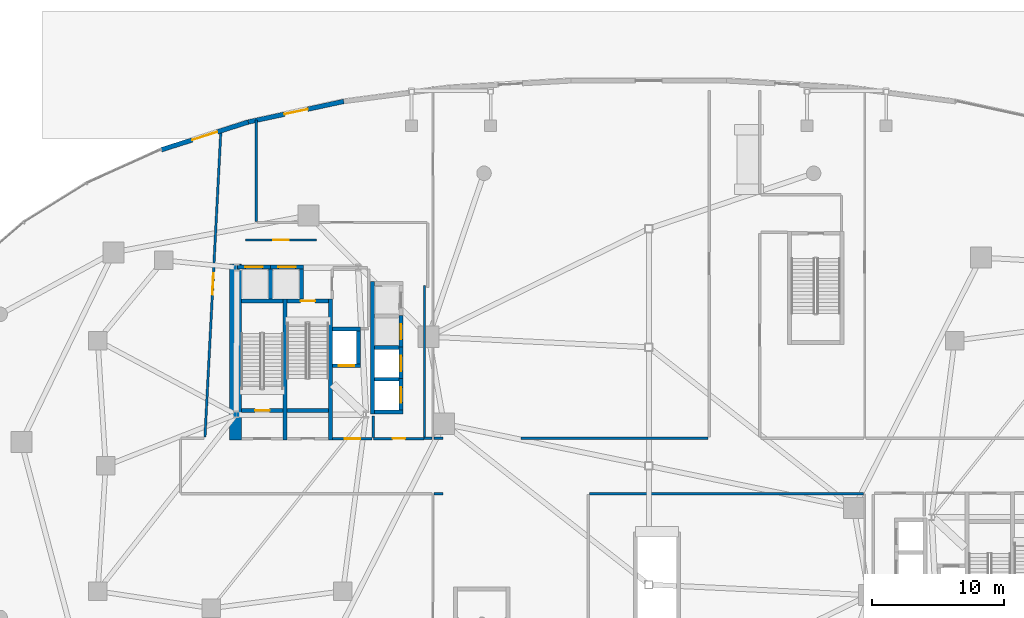
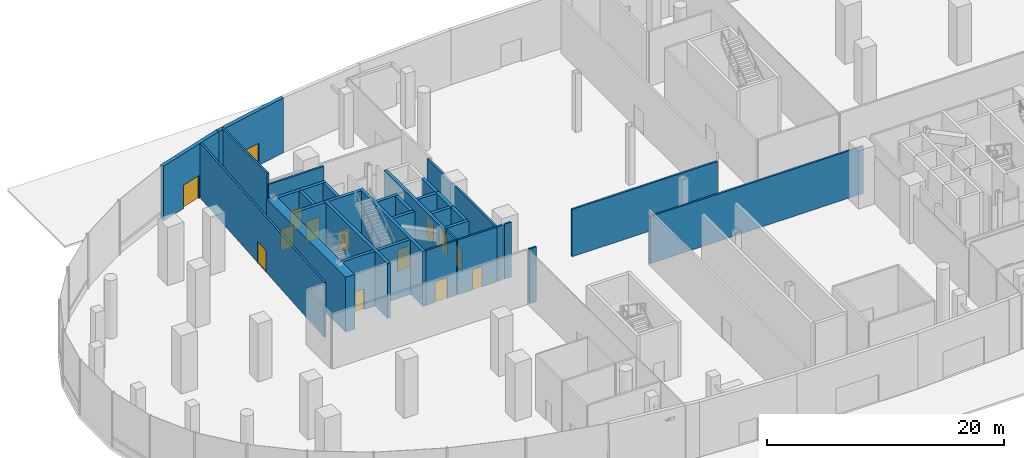
# One storey, part 13 of 20: 35 walls, 14 doors, 14 openings.
"""IFC4 building model written with IfcOpenShell, lengths in metres."""

from ifc_helpers import new_model, si_unit, direction, frame, frame_2d, origin, place, context, subcontext, project, spatial, rectangle, extrude, material, layer, layer_set, type_object, element, fill, save


model = new_model("IFC4")

# Units and contexts
model_context = context("Model", 3, precision=1e-05, world=origin(), true_north=direction((0.0, 1.0)))
body_context = subcontext(model_context, "Body", "Model", "MODEL_VIEW")
ifc_project = project(units=[si_unit("LENGTHUNIT", "METRE"), si_unit("AREAUNIT", "SQUARE_METRE"), si_unit("VOLUMEUNIT", "CUBIC_METRE"), si_unit("PLANEANGLEUNIT", "RADIAN"), si_unit("MASSUNIT", "GRAM", prefix="KILO"), si_unit("THERMODYNAMICTEMPERATUREUNIT", "KELVIN"), si_unit("POWERUNIT", "WATT")], contexts=[model_context])

# Site, building, storey
site_placement = place(None, origin())
site = spatial("IfcSite", under=ifc_project, at=site_placement, CompositionType="ELEMENT")
building_placement = place(site_placement, origin())
building = spatial("IfcBuilding", under=site, at=building_placement, Name="Cundina Bronze Exchange", CompositionType="ELEMENT")
storey_placement = place(building_placement, origin())
storey = spatial("IfcBuildingStorey", under=building, at=storey_placement, Name="L00", CompositionType="ELEMENT", Elevation=0.0)

# Wall
ifc_material_1 = material(Name="Gypsum Fireboard Partition EI120")
ifc_layer_1 = layer(ifc_material_1, 0.179931640625, Name="Gypsum Fireboard Partition EI120")
ifc_layer_set_1 = layer_set([ifc_layer_1], Name="Gypsum Fireboard Partition EI120")
wall_type_1 = type_object("IfcWallType", Name="WL-COR-180", PredefinedType="PARTITIONING", material=ifc_layer_set_1)
wall_1_placement = place(storey_placement, frame((-20.889892578125, 2.14990234375, 0.0), z_axis=(0.0, 0.0, 1.0), x_axis=(0.0, 1.0, 0.0)))
element("IfcWall", 1, at=wall_1_placement, inside=storey, type_object=wall_type_1, Name="L00 W Firefighting Lobby Side Wall", PredefinedType="PARTITIONING", context=body_context, shape_type="SweptSolid", body=[
    extrude(rectangle(XDim=1.650146484375, YDim=0.179931640625, at=frame_2d((0.8251953125, 0.0))), origin(), (0.0, 0.0, 1.0), 5.64990234375),
])

# Wall, opening, door
wall_2_placement = place(storey_placement, frame((-23.97998046875, 2.06005859375, 0.0), z_axis=(0.0, 0.0, 1.0), x_axis=(1.0, 0.0, 0.0)))
wall_2 = element("IfcWall", 2, at=wall_2_placement, inside=storey, type_object=wall_type_1, Name="L00 W Firefighting Lobby Exit Wall", PredefinedType="PARTITIONING", context=body_context, shape_type="SweptSolid", body=[
    extrude(rectangle(XDim=3.0, YDim=0.179931640625, at=frame_2d((1.5, 0.0))), origin(), (0.0, 0.0, 1.0), 5.64990234375),
])
opening_1_placement = place(wall_2_placement, frame((0.89990234375, 0.0, 0.0)))
opening_1 = element("IfcOpeningElement", 3, at=opening_1_placement, cuts=wall_2, Name="Opening DF-01", PredefinedType="OPENING", context=body_context, shape_type="SweptSolid", body=[
    extrude(rectangle(XDim=1.199951171875, YDim=2.14990234375, at=frame_2d((0.60009765625, 1.074951171875))), frame((0.0, 0.099853515625, 0.0), z_axis=(0.0, -1.0, 0.0), x_axis=(1.0, 0.0, 0.0)), (0.0, 0.0, 1.0), 0.199951171875),
])
ifc_material_2 = material(Name="Steel ASTM A36 Painted", Category="steel")
door_type_1 = type_object("IfcDoorType", Name="DR-FFL-1200", OperationType="NOTDEFINED", PredefinedType="DOOR", material=ifc_material_2)
door_1_placement = place(opening_1_placement, origin())
door_1 = element("IfcDoor", 4, at=door_1_placement, inside=storey, type_object=door_type_1, Name="L00 W Firefighting Lobby Door", OperationType="SINGLE_SWING_RIGHT", OverallHeight=2.14990234375, OverallWidth=1.199951171875, PredefinedType="DOOR", context=body_context, shape_type="SweptSolid", body=[
    extrude(rectangle(XDim=1.199951171875, YDim=2.14990234375, at=frame_2d((0.60009765625, 1.074951171875))), frame((0.0, 0.02490234375, 0.0), z_axis=(0.0, -1.0, 0.0), x_axis=(1.0, 0.0, 0.0)), (0.0, 0.0, 1.0), 0.050048828125),
])
fill(opening_1, door_1)

wall_3_placement = place(storey_placement, frame((-30.60009765625, 17.139892578125, 0.0), z_axis=(0.0, 0.0, 1.0), x_axis=(1.0, 0.0, 0.0)))
wall_3 = element("IfcWall", 5, at=wall_3_placement, inside=storey, type_object=wall_type_1, Name="L00 W Stair 2 Protected Vestibule Exit Wall", PredefinedType="PARTITIONING", context=body_context, shape_type="SweptSolid", body=[
    extrude(rectangle(XDim=5.400146484375, YDim=0.179931640625, at=frame_2d((2.7001953125, 0.0))), origin(), (0.0, 0.0, 1.0), 5.64990234375),
])
opening_2_placement = place(wall_3_placement, frame((2.10009765625, 0.0, 0.0)))
opening_2 = element("IfcOpeningElement", 6, at=opening_2_placement, cuts=wall_3, Name="Opening DF-01", PredefinedType="OPENING", context=body_context, shape_type="SweptSolid", body=[
    extrude(rectangle(XDim=1.199951171875, YDim=2.14990234375, at=frame_2d((0.60009765625, 1.074951171875))), frame((0.0, 0.099853515625, 0.0), z_axis=(0.0, -1.0, 0.0), x_axis=(1.0, 0.0, 0.0)), (0.0, 0.0, 1.0), 0.199951171875),
])
door_2_placement = place(opening_2_placement, origin())
door_2 = element("IfcDoor", 7, at=door_2_placement, inside=storey, type_object=door_type_1, Name="L00 W Stair 2 Vestibule Exit Door", OperationType="SINGLE_SWING_LEFT", OverallHeight=2.14990234375, OverallWidth=1.199951171875, PredefinedType="DOOR", context=body_context, shape_type="SweptSolid", body=[
    extrude(rectangle(XDim=1.199951171875, YDim=2.14990234375, at=frame_2d((0.60009765625, 1.074951171875))), frame((0.0, 0.02490234375, 0.0), z_axis=(0.0, -1.0, 0.0), x_axis=(1.0, 0.0, 0.0)), (0.0, 0.0, 1.0), 0.050048828125),
])
fill(opening_2, door_2)

# Wall
wall_4_placement = place(storey_placement, frame((-17.02001953125, 2.169921875, 0.0), z_axis=(0.0, 0.0, 1.0), x_axis=(0.0, 1.0, 0.0)))
element("IfcWall", 8, at=wall_4_placement, inside=storey, type_object=wall_type_1, Name="L00 Interior Partition 001", PredefinedType="PARTITIONING", context=body_context, shape_type="SweptSolid", body=[
    extrude(rectangle(XDim=11.510009765625, YDim=0.179931640625, at=frame_2d((5.7548828125, 0.0))), origin(), (0.0, 0.0, 1.0), 5.64990234375),
])

# Wall, opening, door
wall_5_placement = place(storey_placement, frame((-20.8701171875, 2.070068359375, 0.0), z_axis=(0.0, 0.0, 1.0), x_axis=(1.0, 0.0, 0.0)))
wall_5 = element("IfcWall", 9, at=wall_5_placement, inside=storey, type_object=wall_type_1, Name="L00 Interior Partition 002", PredefinedType="PARTITIONING", context=body_context, shape_type="SweptSolid", body=[
    extrude(rectangle(XDim=3.830078125, YDim=0.179931640625, at=frame_2d((1.9150390625, 0.0))), origin(), (0.0, 0.0, 1.0), 5.64990234375),
])
opening_3_placement = place(wall_5_placement, frame((1.43994140625, 0.0, 0.0)))
opening_3 = element("IfcOpeningElement", 10, at=opening_3_placement, cuts=wall_5, Name="Opening DW-01", PredefinedType="OPENING", context=body_context, shape_type="SweptSolid", body=[
    extrude(rectangle(XDim=0.949951171875, YDim=2.10009765625, at=frame_2d((0.47509765625, 1.050048828125))), frame((0.0, 0.099853515625, 0.0), z_axis=(0.0, -1.0, 0.0), x_axis=(1.0, 0.0, 0.0)), (0.0, 0.0, 1.0), 0.199951171875),
])
ifc_material_3 = material(Name="Solid Andean Oak Timber Grade A", Category="wood")
door_type_2 = type_object("IfcDoorType", Name="DR-WC-950", OperationType="NOTDEFINED", PredefinedType="DOOR", material=ifc_material_3)
door_3_placement = place(opening_3_placement, origin())
door_3 = element("IfcDoor", 11, at=door_3_placement, inside=storey, type_object=door_type_2, Name="L00 Interior Door 002", OperationType="SINGLE_SWING_LEFT", OverallHeight=2.10009765625, OverallWidth=0.949951171875, PredefinedType="DOOR", context=body_context, shape_type="SweptSolid", body=[
    extrude(rectangle(XDim=0.949951171875, YDim=2.10009765625, at=frame_2d((0.47509765625, 1.050048828125))), frame((0.0, 0.02490234375, 0.0), z_axis=(0.0, -1.0, 0.0), x_axis=(1.0, 0.0, 0.0)), (0.0, 0.0, 1.0), 0.050048828125),
])
fill(opening_3, door_3)

# Walls
wall_6_placement = place(storey_placement, frame((-4.5, -2.10009765625, 0.0), z_axis=(0.0, 0.0, 1.0), x_axis=(1.0, 0.0, 0.0)))
element("IfcWall", 12, at=wall_6_placement, inside=storey, type_object=wall_type_1, Name="L00 Interior Partition 030", PredefinedType="PARTITIONING", context=body_context, shape_type="SweptSolid", body=[
    extrude(rectangle(XDim=20.780029296875, YDim=0.179931640625, at=frame_2d((10.39013671875, 0.0))), origin(), (0.0, 0.0, 1.0), 4.876953125),
])
wall_7_placement = place(storey_placement, frame((4.5, 2.10009765625, 0.0), z_axis=(0.0, 0.0, 1.0), x_axis=(-1.0, 0.0, 0.0)))
element("IfcWall", 13, at=wall_7_placement, inside=storey, type_object=wall_type_1, Name="L00 Interior Partition 032", PredefinedType="PARTITIONING", context=body_context, shape_type="SweptSolid", body=[
    extrude(rectangle(XDim=14.199951171875, YDim=0.179931640625, at=frame_2d((7.10009765625, 0.0))), origin(), (0.0, 0.0, 1.0), 4.876953125),
])

# Wall, opening, door
wall_8_placement = place(storey_placement, frame((-32.4619140625, 25.42529296875, 0.0), z_axis=(0.0, 0.0, 1.0), x_axis=(-0.051897662256, -0.998652408325, 0.0)))
wall_8 = element("IfcWall", 14, at=wall_8_placement, inside=storey, type_object=wall_type_1, Name="L00 Interior Partition 039", PredefinedType="PARTITIONING", context=body_context, shape_type="SweptSolid", body=[
    extrude(rectangle(XDim=23.276611328125, YDim=0.179931640625, at=frame_2d((11.63818359375, 0.0))), origin(), (0.0, 0.0, 1.0), 5.64990234375),
])
opening_4_placement = place(wall_8_placement, frame((10.83837890625, 0.0, 0.0)))
opening_4 = element("IfcOpeningElement", 15, at=opening_4_placement, cuts=wall_8, Name="Opening DO-02", PredefinedType="OPENING", context=body_context, shape_type="SweptSolid", body=[
    extrude(rectangle(XDim=1.60009765625, YDim=2.199951171875, at=frame_2d((0.800048828125, 1.10009765625))), frame((0.0, 0.099853515625, 0.0), z_axis=(0.0, -1.0, 0.0), x_axis=(1.0, 0.0, 0.0)), (0.0, 0.0, 1.0), 0.199951171875),
])
door_type_3 = type_object("IfcDoorType", Name="DR-TRD-1600", OperationType="NOTDEFINED", PredefinedType="DOOR", material=ifc_material_3)
door_4_placement = place(opening_4_placement, origin())
door_4 = element("IfcDoor", 16, at=door_4_placement, inside=storey, type_object=door_type_3, Name="L00 Interior Door 039", OperationType="SINGLE_SWING_RIGHT", OverallHeight=2.199951171875, OverallWidth=1.60009765625, PredefinedType="DOOR", context=body_context, shape_type="SweptSolid", body=[
    extrude(rectangle(XDim=1.60009765625, YDim=2.199951171875, at=frame_2d((0.800048828125, 1.10009765625))), frame((0.0, 0.02490234375, 0.0), z_axis=(0.0, -1.0, 0.0), x_axis=(1.0, 0.0, 0.0)), (0.0, 0.0, 1.0), 0.050048828125),
])
fill(opening_4, door_4)

# Walls
wall_9_placement = place(storey_placement, frame((-16.294921875, -2.10009765625, 0.0), z_axis=(0.0, 0.0, 1.0), x_axis=(1.0, 0.0, 0.0)))
element("IfcWall", 17, at=wall_9_placement, inside=storey, type_object=wall_type_1, Name="L00 Interior Partition 041", PredefinedType="PARTITIONING", context=body_context, shape_type="SweptSolid", body=[
    extrude(rectangle(XDim=0.69482421875, YDim=0.179931640625, at=frame_2d((0.347412109375, 0.0))), origin(), (0.0, 0.0, 1.0), 5.64990234375),
])
wall_10_placement = place(storey_placement, frame((-29.780029296875, 18.550048828125, 0.0), z_axis=(0.0, 0.0, 1.0), x_axis=(0.0, 1.0, 0.0)))
element("IfcWall", 18, at=wall_10_placement, inside=storey, type_object=wall_type_1, Name="L00 Interior Partition 045", PredefinedType="PARTITIONING", context=body_context, shape_type="SweptSolid", body=[
    extrude(rectangle(XDim=7.680419921875, YDim=0.179931640625, at=frame_2d((3.84033203125, 0.0))), origin(), (0.0, 0.0, 1.0), 5.64990234375),
])
wall_11_placement = place(storey_placement, frame((-15.60009765625, 2.10009765625, 0.0), z_axis=(0.0, 0.0, 1.0), x_axis=(-1.0, 0.0, 0.0)))
element("IfcWall", 19, at=wall_11_placement, inside=storey, type_object=wall_type_1, Name="L00 Interior Partition 047", PredefinedType="PARTITIONING", context=body_context, shape_type="SweptSolid", body=[
    extrude(rectangle(XDim=0.69482421875, YDim=0.179931640625, at=frame_2d((0.347412109375, 0.0))), origin(), (0.0, 0.0, 1.0), 5.64990234375),
])
wall_12_placement = place(storey_placement, frame((-16.465087890625, 2.10009765625, 0.0), z_axis=(0.0, 0.0, 1.0), x_axis=(-1.0, 0.0, 0.0)))
element("IfcWall", 20, at=wall_12_placement, inside=storey, type_object=wall_type_1, Name="L00 Interior Partition 048", PredefinedType="PARTITIONING", context=body_context, shape_type="SweptSolid", body=[
    extrude(rectangle(XDim=0.574951171875, YDim=0.179931640625, at=frame_2d((0.28759765625, 0.0))), origin(), (0.0, 0.0, 1.0), 5.64990234375),
])
ifc_material_4 = material(Name="Concrete C60/75", Category="concrete")
ifc_layer_2 = layer(ifc_material_4, 0.89990234375, Name="Concrete C60/75", Category="concrete")
ifc_layer_set_2 = layer_set([ifc_layer_2], Name="Concrete C60/75")
wall_type_2 = type_object("IfcWallType", Name="WL-CORE-900", PredefinedType="SHEAR", material=ifc_layer_set_2)
wall_13_placement = place(storey_placement, frame((-31.35009765625, 1.969970703125, 0.0), z_axis=(0.0, 0.0, 1.0), x_axis=(0.0, 1.0, 0.0)))
element("IfcWall", 21, at=wall_13_placement, inside=storey, type_object=wall_type_2, Name="L00 W Primary Core Shear Spine Wall", PredefinedType="SHEAR", context=body_context, shape_type="SweptSolid", body=[
    extrude(rectangle(XDim=13.330078125, YDim=0.89990234375, at=frame_2d((6.6650390625, 0.0))), origin(), (0.0, 0.0, 1.0), 5.64990234375),
])

# Wall, opening, door
ifc_material_5 = material(Name="Concrete C40/50", Category="concrete")
ifc_layer_3 = layer(ifc_material_5, 0.35009765625, Name="Concrete C40/50", Category="concrete")
ifc_layer_set_3 = layer_set([ifc_layer_3], Name="Concrete C40/50")
wall_type_3 = type_object("IfcWallType", Name="WL-EXT-350", PredefinedType="SOLIDWALL", material=ifc_layer_set_3)
wall_14_placement = place(storey_placement, frame((-30.379150390625, 26.088623046875, 0.0), z_axis=(0.0, 0.0, 1.0), x_axis=(0.977456656467, 0.211136175795, 0.0)))
wall_14 = element("IfcWall", 22, at=wall_14_placement, inside=storey, type_object=wall_type_3, Name="L00 Podium Exterior Wall 13", PredefinedType="SOLIDWALL", context=body_context, shape_type="SweptSolid", body=[
    extrude(rectangle(XDim=7.40625, YDim=0.35009765625, at=frame_2d((3.703125, 0.0))), origin(), (0.0, 0.0, 1.0), 5.64990234375),
])
opening_5_placement = place(wall_14_placement, frame((2.802978515625, 0.0, 0.0)))
opening_5 = element("IfcOpeningElement", 23, at=opening_5_placement, cuts=wall_14, Name="Opening DE-02", PredefinedType="OPENING", context=body_context, shape_type="SweptSolid", body=[
    extrude(rectangle(XDim=1.800048828125, YDim=2.300048828125, at=frame_2d((0.89990234375, 1.14990234375))), frame((0.0, 0.18505859375, 0.0), z_axis=(0.0, -1.0, 0.0), x_axis=(1.0, 0.0, 0.0)), (0.0, 0.0, 1.0), 0.3701171875),
])
ifc_material_6 = material(Name="Anodised Bronze Aluminium 6063-T6", Category="aluminium")
door_type_4 = type_object("IfcDoorType", Name="DR-EXT-1800", OperationType="NOTDEFINED", PredefinedType="DOOR", material=ifc_material_6)
door_5_placement = place(opening_5_placement, origin())
door_5 = element("IfcDoor", 24, at=door_5_placement, inside=storey, type_object=door_type_4, Name="L00 Concourse Street Exit Door EX-13", OperationType="DOUBLE_DOOR_SINGLE_SWING", OverallHeight=2.300048828125, OverallWidth=1.800048828125, PredefinedType="DOOR", context=body_context, shape_type="SweptSolid", body=[
    extrude(rectangle(XDim=1.800048828125, YDim=2.300048828125, at=frame_2d((0.89990234375, 1.14990234375))), frame((0.0, 0.02490234375, 0.0), z_axis=(0.0, -1.0, 0.0), x_axis=(1.0, 0.0, 0.0)), (0.0, 0.0, 1.0), 0.050048828125),
])
fill(opening_5, door_5)

wall_15_placement = place(storey_placement, frame((-36.982421875, 23.9794921875, 0.0), z_axis=(0.0, 0.0, 1.0), x_axis=(0.952587993211, 0.304263233385, 0.0)))
wall_15 = element("IfcWall", 25, at=wall_15_placement, inside=storey, type_object=wall_type_3, Name="L00 Podium Exterior Wall 14", PredefinedType="SOLIDWALL", context=body_context, shape_type="SweptSolid", body=[
    extrude(rectangle(XDim=6.931884765625, YDim=0.35009765625, at=frame_2d((3.4658203125, 0.0))), origin(), (0.0, 0.0, 1.0), 5.64990234375),
])
opening_6_placement = place(wall_15_placement, frame((2.466064453125, 0.0, 0.0)))
opening_6 = element("IfcOpeningElement", 26, at=opening_6_placement, cuts=wall_15, Name="Opening DE-01", PredefinedType="OPENING", context=body_context, shape_type="SweptSolid", body=[
    extrude(rectangle(XDim=2.0, YDim=2.39990234375, at=frame_2d((1.0, 1.199951171875))), frame((0.0, 0.18505859375, 0.0), z_axis=(0.0, -1.0, 0.0), x_axis=(1.0, 0.0, 0.0)), (0.0, 0.0, 1.0), 0.3701171875),
])
door_type_5 = type_object("IfcDoorType", Name="DR-EXT-2000", OperationType="NOTDEFINED", PredefinedType="DOOR", material=ifc_material_6)
door_6_placement = place(opening_6_placement, origin())
door_6 = element("IfcDoor", 27, at=door_6_placement, inside=storey, type_object=door_type_5, Name="L00 Concourse Street Exit Door EX-14", OperationType="DOUBLE_DOOR_SINGLE_SWING", OverallHeight=2.39990234375, OverallWidth=2.0, PredefinedType="DOOR", context=body_context, shape_type="SweptSolid", body=[
    extrude(rectangle(XDim=2.0, YDim=2.39990234375, at=frame_2d((1.0, 1.199951171875))), frame((0.0, 0.02490234375, 0.0), z_axis=(0.0, -1.0, 0.0), x_axis=(1.0, 0.0, 0.0)), (0.0, 0.0, 1.0), 0.050048828125),
])
fill(opening_6, door_6)

# Walls
ifc_material_7 = material(Name="Concrete C50/60", Category="concrete")
ifc_layer_4 = layer(ifc_material_7, 0.300048828125, Name="Concrete C50/60", Category="concrete")
ifc_layer_set_4 = layer_set([ifc_layer_4], Name="Concrete C50/60")
wall_type_4 = type_object("IfcWallType", Name="WL-SHFT-300", PredefinedType="SHEAR", material=ifc_layer_set_4)
for number, where, z_axis, x_axis, name in (
    (28, (-27.590087890625, 1.969970703125, 0.0), (0.0, 0.0, 1.0), (0.0, 1.0, 0.0), "L00 W Stair Shaft Dividing Shear Wall"),
    (29, (-24.1298828125, 1.969970703125, 0.0), (0.0, 0.0, 1.0), (0.0, 1.0, 0.0), "L00 W Stair 2 East Shear Wall"),
):
    element("IfcWall", number, at=place(storey_placement, frame(where, z_axis=z_axis, x_axis=x_axis)), inside=storey, type_object=wall_type_4, Name=name, PredefinedType="SHEAR", context=body_context, shape_type="SweptSolid", body=[
        extrude(rectangle(XDim=10.679931640625, YDim=0.300048828125, at=frame_2d((5.33984375, 0.0))), origin(), (0.0, 0.0, 1.0), 5.64990234375),
    ])

# Wall, opening, door
wall_16_placement = place(storey_placement, frame((-30.89990234375, 4.199951171875, 0.0), z_axis=(0.0, 0.0, 1.0), x_axis=(1.0, 0.0, 0.0)))
wall_16 = element("IfcWall", 30, at=wall_16_placement, inside=storey, type_object=wall_type_4, Name="L00 Stair W1 Landing Wall", PredefinedType="SHEAR", context=body_context, shape_type="SweptSolid", body=[
    extrude(rectangle(XDim=3.159912109375, YDim=0.300048828125, at=frame_2d((1.580078125, 0.0))), origin(), (0.0, 0.0, 1.0), 5.64990234375),
])
opening_7_placement = place(wall_16_placement, frame((1.030029296875, 0.0, 0.0)))
opening_7 = element("IfcOpeningElement", 31, at=opening_7_placement, cuts=wall_16, Name="Opening DS-01", PredefinedType="OPENING", context=body_context, shape_type="SweptSolid", body=[
    extrude(rectangle(XDim=1.10009765625, YDim=2.14990234375, at=frame_2d((0.550048828125, 1.074951171875))), frame((0.0, 0.159912109375, 0.0), z_axis=(0.0, -1.0, 0.0), x_axis=(1.0, 0.0, 0.0)), (0.0, 0.0, 1.0), 0.320068359375),
])
door_type_6 = type_object("IfcDoorType", Name="DR-STR-1100", OperationType="NOTDEFINED", PredefinedType="DOOR", material=ifc_material_2)
door_7_placement = place(opening_7_placement, origin())
door_7 = element("IfcDoor", 32, at=door_7_placement, inside=storey, type_object=door_type_6, Name="L00 Smokeproof Stair W1 Door", OperationType="SINGLE_SWING_RIGHT", OverallHeight=2.14990234375, OverallWidth=1.10009765625, PredefinedType="DOOR", context=body_context, shape_type="SweptSolid", body=[
    extrude(rectangle(XDim=1.10009765625, YDim=2.14990234375, at=frame_2d((0.550048828125, 1.074951171875))), frame((0.0, 0.02490234375, 0.0), z_axis=(0.0, -1.0, 0.0), x_axis=(1.0, 0.0, 0.0)), (0.0, 0.0, 1.0), 0.050048828125),
])
fill(opening_7, door_7)

# Wall
wall_17_placement = place(storey_placement, frame((-30.89990234375, 12.5, 0.0), z_axis=(0.0, 0.0, 1.0), x_axis=(1.0, 0.0, 0.0)))
element("IfcWall", 33, at=wall_17_placement, inside=storey, type_object=wall_type_4, Name="L00 Stair W1 Far Shaft Wall", PredefinedType="SHEAR", context=body_context, shape_type="SweptSolid", body=[
    extrude(rectangle(XDim=3.159912109375, YDim=0.300048828125, at=frame_2d((1.580078125, 0.0))), origin(), (0.0, 0.0, 1.0), 5.64990234375),
])

# Wall, opening, door
wall_18_placement = place(storey_placement, frame((-27.43994140625, 12.5, 0.0), z_axis=(0.0, 0.0, 1.0), x_axis=(1.0, 0.0, 0.0)))
wall_18 = element("IfcWall", 34, at=wall_18_placement, inside=storey, type_object=wall_type_4, Name="L00 Stair W2 Landing Wall", PredefinedType="SHEAR", context=body_context, shape_type="SweptSolid", body=[
    extrude(rectangle(XDim=3.159912109375, YDim=0.300048828125, at=frame_2d((1.580078125, 0.0))), origin(), (0.0, 0.0, 1.0), 5.64990234375),
])
opening_8_placement = place(wall_18_placement, frame((1.030029296875, 0.0, 0.0)))
opening_8 = element("IfcOpeningElement", 35, at=opening_8_placement, cuts=wall_18, Name="Opening DS-01", PredefinedType="OPENING", context=body_context, shape_type="SweptSolid", body=[
    extrude(rectangle(XDim=1.10009765625, YDim=2.14990234375, at=frame_2d((0.550048828125, 1.074951171875))), frame((0.0, 0.159912109375, 0.0), z_axis=(0.0, -1.0, 0.0), x_axis=(1.0, 0.0, 0.0)), (0.0, 0.0, 1.0), 0.320068359375),
])
door_8_placement = place(opening_8_placement, origin())
door_8 = element("IfcDoor", 36, at=door_8_placement, inside=storey, type_object=door_type_6, Name="L00 Smokeproof Stair W2 Door", OperationType="SINGLE_SWING_LEFT", OverallHeight=2.14990234375, OverallWidth=1.10009765625, PredefinedType="DOOR", context=body_context, shape_type="SweptSolid", body=[
    extrude(rectangle(XDim=1.10009765625, YDim=2.14990234375, at=frame_2d((0.550048828125, 1.074951171875))), frame((0.0, 0.02490234375, 0.0), z_axis=(0.0, -1.0, 0.0), x_axis=(1.0, 0.0, 0.0)), (0.0, 0.0, 1.0), 0.050048828125),
])
fill(opening_8, door_8)

# Wall
wall_19_placement = place(storey_placement, frame((-27.43994140625, 4.199951171875, 0.0), z_axis=(0.0, 0.0, 1.0), x_axis=(1.0, 0.0, 0.0)))
element("IfcWall", 37, at=wall_19_placement, inside=storey, type_object=wall_type_4, Name="L00 Stair W2 Far Shaft Wall", PredefinedType="SHEAR", context=body_context, shape_type="SweptSolid", body=[
    extrude(rectangle(XDim=3.159912109375, YDim=0.300048828125, at=frame_2d((1.580078125, 0.0))), origin(), (0.0, 0.0, 1.0), 5.64990234375),
])

# Wall, opening, door
wall_20_placement = place(storey_placement, frame((-23.97998046875, 7.60009765625, 0.0), z_axis=(0.0, 0.0, 1.0), x_axis=(1.0, 0.0, 0.0)))
wall_20 = element("IfcWall", 38, at=wall_20_placement, inside=storey, type_object=wall_type_4, Name="L00 FFL-W Hoistway Front Wall", PredefinedType="SHEAR", context=body_context, shape_type="SweptSolid", body=[
    extrude(rectangle(XDim=2.10009765625, YDim=0.300048828125, at=frame_2d((1.050048828125, 0.0))), origin(), (0.0, 0.0, 1.0), 5.64990234375),
])
opening_9_placement = place(wall_20_placement, frame((0.47509765625, 0.0, 0.0)))
opening_9 = element("IfcOpeningElement", 39, at=opening_9_placement, cuts=wall_20, Name="Opening LD-01", PredefinedType="OPENING", context=body_context, shape_type="SweptSolid", body=[
    extrude(rectangle(XDim=1.14990234375, YDim=2.199951171875, at=frame_2d((0.574951171875, 1.10009765625))), frame((0.0, 0.159912109375, 0.0), z_axis=(0.0, -1.0, 0.0), x_axis=(1.0, 0.0, 0.0)), (0.0, 0.0, 1.0), 0.320068359375),
])
door_type_7 = type_object("IfcDoorType", Name="DR-LND-1150", OperationType="NOTDEFINED", PredefinedType="TRAPDOOR", material=ifc_material_2)
door_9_placement = place(opening_9_placement, origin())
door_9 = element("IfcDoor", 40, at=door_9_placement, inside=storey, type_object=door_type_7, Name="L00 FFL-W Sliding Landing Door", OperationType="SLIDING_TO_LEFT", OverallHeight=2.199951171875, OverallWidth=1.14990234375, PredefinedType="TRAPDOOR", context=body_context, shape_type="SweptSolid", body=[
    extrude(rectangle(XDim=1.14990234375, YDim=2.199951171875, at=frame_2d((0.574951171875, 1.10009765625))), frame((0.0, 0.02490234375, 0.0), z_axis=(0.0, -1.0, 0.0), x_axis=(1.0, 0.0, 0.0)), (0.0, 0.0, 1.0), 0.050048828125),
])
fill(opening_9, door_9)

# Walls
wall_21_placement = place(storey_placement, frame((-23.97998046875, 10.39990234375, 0.0), z_axis=(0.0, 0.0, 1.0), x_axis=(1.0, 0.0, 0.0)))
element("IfcWall", 41, at=wall_21_placement, inside=storey, type_object=wall_type_4, Name="L00 FFL-W Hoistway Back Wall", PredefinedType="SHEAR", context=body_context, shape_type="SweptSolid", body=[
    extrude(rectangle(XDim=2.10009765625, YDim=0.300048828125, at=frame_2d((1.050048828125, 0.0))), origin(), (0.0, 0.0, 1.0), 5.64990234375),
])
wall_22_placement = place(storey_placement, frame((-22.030029296875, 7.75, 0.0), z_axis=(0.0, 0.0, 1.0), x_axis=(0.0, 1.0, 0.0)))
element("IfcWall", 42, at=wall_22_placement, inside=storey, type_object=wall_type_4, Name="L00 FFL-W Hoistway Side Wall", PredefinedType="SHEAR", context=body_context, shape_type="SweptSolid", body=[
    extrude(rectangle(XDim=2.5, YDim=0.300048828125, at=frame_2d((1.25, 0.0))), origin(), (0.0, 0.0, 1.0), 5.64990234375),
])

# Wall, opening, door
wall_23_placement = place(storey_placement, frame((-31.199951171875, 15.10009765625, 0.0), z_axis=(0.0, 0.0, 1.0), x_axis=(1.0, 0.0, 0.0)))
wall_23 = element("IfcWall", 43, at=wall_23_placement, inside=storey, type_object=wall_type_4, Name="L00 PH-W1 Hoistway Front Wall", PredefinedType="SHEAR", context=body_context, shape_type="SweptSolid", body=[
    extrude(rectangle(XDim=2.5, YDim=0.300048828125, at=frame_2d((1.25, 0.0))), origin(), (0.0, 0.0, 1.0), 5.64990234375),
])
opening_10_placement = place(wall_23_placement, frame((0.60009765625, 0.0, 0.0)))
opening_10 = element("IfcOpeningElement", 44, at=opening_10_placement, cuts=wall_23, Name="Opening LD-02", PredefinedType="OPENING", context=body_context, shape_type="SweptSolid", body=[
    extrude(rectangle(XDim=1.300048828125, YDim=2.199951171875, at=frame_2d((0.64990234375, 1.10009765625))), frame((0.0, 0.159912109375, 0.0), z_axis=(0.0, -1.0, 0.0), x_axis=(1.0, 0.0, 0.0)), (0.0, 0.0, 1.0), 0.320068359375),
])
door_type_8 = type_object("IfcDoorType", Name="DR-LND-1300", OperationType="NOTDEFINED", PredefinedType="TRAPDOOR", material=ifc_material_2)
door_10_placement = place(opening_10_placement, origin())
door_10 = element("IfcDoor", 45, at=door_10_placement, inside=storey, type_object=door_type_8, Name="L00 PH-W1 Sliding Landing Door", OperationType="SLIDING_TO_LEFT", OverallHeight=2.199951171875, OverallWidth=1.300048828125, PredefinedType="TRAPDOOR", context=body_context, shape_type="SweptSolid", body=[
    extrude(rectangle(XDim=1.300048828125, YDim=2.199951171875, at=frame_2d((0.64990234375, 1.10009765625))), frame((0.0, 0.02490234375, 0.0), z_axis=(0.0, -1.0, 0.0), x_axis=(1.0, 0.0, 0.0)), (0.0, 0.0, 1.0), 0.050048828125),
])
fill(opening_10, door_10)

# Wall
wall_24_placement = place(storey_placement, frame((-28.699951171875, 12.64990234375, 0.0), z_axis=(0.0, 0.0, 1.0), x_axis=(0.0, 1.0, 0.0)))
element("IfcWall", 46, at=wall_24_placement, inside=storey, type_object=wall_type_4, Name="L00 PH-W1 Hoistway Divider Wall", PredefinedType="SHEAR", context=body_context, shape_type="SweptSolid", body=[
    extrude(rectangle(XDim=2.300048828125, YDim=0.300048828125, at=frame_2d((1.14990234375, 0.0))), origin(), (0.0, 0.0, 1.0), 5.64990234375),
])

# Wall, opening, door
wall_25_placement = place(storey_placement, frame((-28.699951171875, 15.10009765625, 0.0), z_axis=(0.0, 0.0, 1.0), x_axis=(1.0, 0.0, 0.0)))
wall_25 = element("IfcWall", 47, at=wall_25_placement, inside=storey, type_object=wall_type_4, Name="L00 PH-W2 Hoistway Front Wall", PredefinedType="SHEAR", context=body_context, shape_type="SweptSolid", body=[
    extrude(rectangle(XDim=2.5, YDim=0.300048828125, at=frame_2d((1.25, 0.0))), origin(), (0.0, 0.0, 1.0), 5.64990234375),
])
opening_11_placement = place(wall_25_placement, frame((0.60009765625, 0.0, 0.0)))
opening_11 = element("IfcOpeningElement", 48, at=opening_11_placement, cuts=wall_25, Name="Opening LD-02", PredefinedType="OPENING", context=body_context, shape_type="SweptSolid", body=[
    extrude(rectangle(XDim=1.300048828125, YDim=2.199951171875, at=frame_2d((0.64990234375, 1.10009765625))), frame((0.0, 0.159912109375, 0.0), z_axis=(0.0, -1.0, 0.0), x_axis=(1.0, 0.0, 0.0)), (0.0, 0.0, 1.0), 0.320068359375),
])
door_11_placement = place(opening_11_placement, origin())
door_11 = element("IfcDoor", 49, at=door_11_placement, inside=storey, type_object=door_type_8, Name="L00 PH-W2 Sliding Landing Door", OperationType="SLIDING_TO_LEFT", OverallHeight=2.199951171875, OverallWidth=1.300048828125, PredefinedType="TRAPDOOR", context=body_context, shape_type="SweptSolid", body=[
    extrude(rectangle(XDim=1.300048828125, YDim=2.199951171875, at=frame_2d((0.64990234375, 1.10009765625))), frame((0.0, 0.02490234375, 0.0), z_axis=(0.0, -1.0, 0.0), x_axis=(1.0, 0.0, 0.0)), (0.0, 0.0, 1.0), 0.050048828125),
])
fill(opening_11, door_11)

# Walls
wall_26_placement = place(storey_placement, frame((-26.35009765625, 12.64990234375, 0.0), z_axis=(0.0, 0.0, 1.0), x_axis=(0.0, 1.0, 0.0)))
element("IfcWall", 50, at=wall_26_placement, inside=storey, type_object=wall_type_4, Name="L00 PH-W2 Hoistway Divider Wall", PredefinedType="SHEAR", context=body_context, shape_type="SweptSolid", body=[
    extrude(rectangle(XDim=2.300048828125, YDim=0.300048828125, at=frame_2d((1.14990234375, 0.0))), origin(), (0.0, 0.0, 1.0), 5.64990234375),
])
wall_27_placement = place(storey_placement, frame((-20.949951171875, 3.949951171875, 0.0), z_axis=(0.0, 0.0, 1.0), x_axis=(0.0, 1.0, 0.0)))
element("IfcWall", 51, at=wall_27_placement, inside=storey, type_object=wall_type_4, Name="L00 W Passenger Bank Hoistway Back Wall", PredefinedType="SHEAR", context=body_context, shape_type="SweptSolid", body=[
    extrude(rectangle(XDim=10.050048828125, YDim=0.300048828125, at=frame_2d((5.02490234375, 0.0))), origin(), (0.0, 0.0, 1.0), 5.64990234375),
])
wall_28_placement = place(storey_placement, frame((-20.800048828125, 4.10009765625, 0.0), z_axis=(0.0, 0.0, 1.0), x_axis=(1.0, 0.0, 0.0)))
element("IfcWall", 52, at=wall_28_placement, inside=storey, type_object=wall_type_4, Name="L00 W Passenger Bank South Cap Wall", PredefinedType="SHEAR", context=body_context, shape_type="SweptSolid", body=[
    extrude(rectangle(XDim=2.150146484375, YDim=0.300048828125, at=frame_2d((1.0751953125, 0.0))), origin(), (0.0, 0.0, 1.0), 5.64990234375),
])
for number, where, z_axis, x_axis, name in (
    (53, (-20.800048828125, 6.574951171875, 0.0), (0.0, 0.0, 1.0), (1.0, 0.0, 0.0), "L00 W Passenger Hoistway Divider 1"),
    (54, (-20.800048828125, 8.97509765625, 0.0), (0.0, 0.0, 1.0), (1.0, 0.0, 0.0), "L00 W Passenger Hoistway Divider 2"),
):
    element("IfcWall", number, at=place(storey_placement, frame(where, z_axis=z_axis, x_axis=x_axis)), inside=storey, type_object=wall_type_4, Name=name, PredefinedType="SHEAR", context=body_context, shape_type="SweptSolid", body=[
        extrude(rectangle(XDim=1.85009765625, YDim=0.300048828125, at=frame_2d((0.925048828125, 0.0))), origin(), (0.0, 0.0, 1.0), 5.64990234375),
    ])

# Wall, opening, door
wall_29_placement = place(storey_placement, frame((-18.800048828125, 4.1298828125, 0.0), z_axis=(0.0, 0.0, 1.0), x_axis=(0.0, 1.0, 0.0)))
wall_29 = element("IfcWall", 55, at=wall_29_placement, inside=storey, type_object=wall_type_4, Name="L00 PL-W2 Hoistway Front Wall", PredefinedType="SHEAR", context=body_context, shape_type="SweptSolid", body=[
    extrude(rectangle(XDim=2.490234375, YDim=0.300048828125, at=frame_2d((1.2451171875, 0.0))), origin(), (0.0, 0.0, 1.0), 5.64990234375),
])
opening_12_placement = place(wall_29_placement, frame((0.669921875, 0.0, 0.0)))
opening_12 = element("IfcOpeningElement", 56, at=opening_12_placement, cuts=wall_29, Name="Opening LD-01", PredefinedType="OPENING", context=body_context, shape_type="SweptSolid", body=[
    extrude(rectangle(XDim=1.14990234375, YDim=2.199951171875, at=frame_2d((0.574951171875, 1.10009765625))), frame((0.0, 0.159912109375, 0.0), z_axis=(0.0, -1.0, 0.0), x_axis=(1.0, 0.0, 0.0)), (0.0, 0.0, 1.0), 0.320068359375),
])
door_12_placement = place(opening_12_placement, origin())
door_12 = element("IfcDoor", 57, at=door_12_placement, inside=storey, type_object=door_type_7, Name="L00 PL-W2 Sliding Landing Door", OperationType="SLIDING_TO_LEFT", OverallHeight=2.199951171875, OverallWidth=1.14990234375, PredefinedType="TRAPDOOR", context=body_context, shape_type="SweptSolid", body=[
    extrude(rectangle(XDim=1.14990234375, YDim=2.199951171875, at=frame_2d((0.574951171875, 1.10009765625))), frame((0.0, 0.02490234375, 0.0), z_axis=(0.0, -1.0, 0.0), x_axis=(1.0, 0.0, 0.0)), (0.0, 0.0, 1.0), 0.050048828125),
])
fill(opening_12, door_12)

wall_30_placement = place(storey_placement, frame((-18.800048828125, 6.530029296875, 0.0), z_axis=(0.0, 0.0, 1.0), x_axis=(0.0, 1.0, 0.0)))
wall_30 = element("IfcWall", 58, at=wall_30_placement, inside=storey, type_object=wall_type_4, Name="L00 PL-W1 Hoistway Front Wall", PredefinedType="SHEAR", context=body_context, shape_type="SweptSolid", body=[
    extrude(rectangle(XDim=2.489990234375, YDim=0.300048828125, at=frame_2d((1.2451171875, 0.0))), origin(), (0.0, 0.0, 1.0), 5.64990234375),
])
opening_13_placement = place(wall_30_placement, frame((0.669921875, 0.0, 0.0)))
opening_13 = element("IfcOpeningElement", 59, at=opening_13_placement, cuts=wall_30, Name="Opening LD-01", PredefinedType="OPENING", context=body_context, shape_type="SweptSolid", body=[
    extrude(rectangle(XDim=1.14990234375, YDim=2.199951171875, at=frame_2d((0.574951171875, 1.10009765625))), frame((0.0, 0.159912109375, 0.0), z_axis=(0.0, -1.0, 0.0), x_axis=(1.0, 0.0, 0.0)), (0.0, 0.0, 1.0), 0.320068359375),
])
door_13_placement = place(opening_13_placement, origin())
door_13 = element("IfcDoor", 60, at=door_13_placement, inside=storey, type_object=door_type_7, Name="L00 PL-W1 Sliding Landing Door", OperationType="SLIDING_TO_LEFT", OverallHeight=2.199951171875, OverallWidth=1.14990234375, PredefinedType="TRAPDOOR", context=body_context, shape_type="SweptSolid", body=[
    extrude(rectangle(XDim=1.14990234375, YDim=2.199951171875, at=frame_2d((0.574951171875, 1.10009765625))), frame((0.0, 0.02490234375, 0.0), z_axis=(0.0, -1.0, 0.0), x_axis=(1.0, 0.0, 0.0)), (0.0, 0.0, 1.0), 0.050048828125),
])
fill(opening_13, door_13)

wall_31_placement = place(storey_placement, frame((-18.800048828125, 8.929931640625, 0.0), z_axis=(0.0, 0.0, 1.0), x_axis=(0.0, 1.0, 0.0)))
wall_31 = element("IfcWall", 61, at=wall_31_placement, inside=storey, type_object=wall_type_4, Name="L00 PM-W2 Hoistway Front Wall", PredefinedType="SHEAR", context=body_context, shape_type="SweptSolid", body=[
    extrude(rectangle(XDim=2.489990234375, YDim=0.300048828125, at=frame_2d((1.2451171875, 0.0))), origin(), (0.0, 0.0, 1.0), 5.64990234375),
])
opening_14_placement = place(wall_31_placement, frame((0.669921875, 0.0, 0.0)))
opening_14 = element("IfcOpeningElement", 62, at=opening_14_placement, cuts=wall_31, Name="Opening LD-01", PredefinedType="OPENING", context=body_context, shape_type="SweptSolid", body=[
    extrude(rectangle(XDim=1.14990234375, YDim=2.199951171875, at=frame_2d((0.574951171875, 1.10009765625))), frame((0.0, 0.159912109375, 0.0), z_axis=(0.0, -1.0, 0.0), x_axis=(1.0, 0.0, 0.0)), (0.0, 0.0, 1.0), 0.320068359375),
])
door_14_placement = place(opening_14_placement, origin())
door_14 = element("IfcDoor", 63, at=door_14_placement, inside=storey, type_object=door_type_7, Name="L00 PM-W2 Sliding Landing Door", OperationType="SLIDING_TO_LEFT", OverallHeight=2.199951171875, OverallWidth=1.14990234375, PredefinedType="TRAPDOOR", context=body_context, shape_type="SweptSolid", body=[
    extrude(rectangle(XDim=1.14990234375, YDim=2.199951171875, at=frame_2d((0.574951171875, 1.10009765625))), frame((0.0, 0.02490234375, 0.0), z_axis=(0.0, -1.0, 0.0), x_axis=(1.0, 0.0, 0.0)), (0.0, 0.0, 1.0), 0.050048828125),
])
fill(opening_14, door_14)

save(model, "model.ifc")
